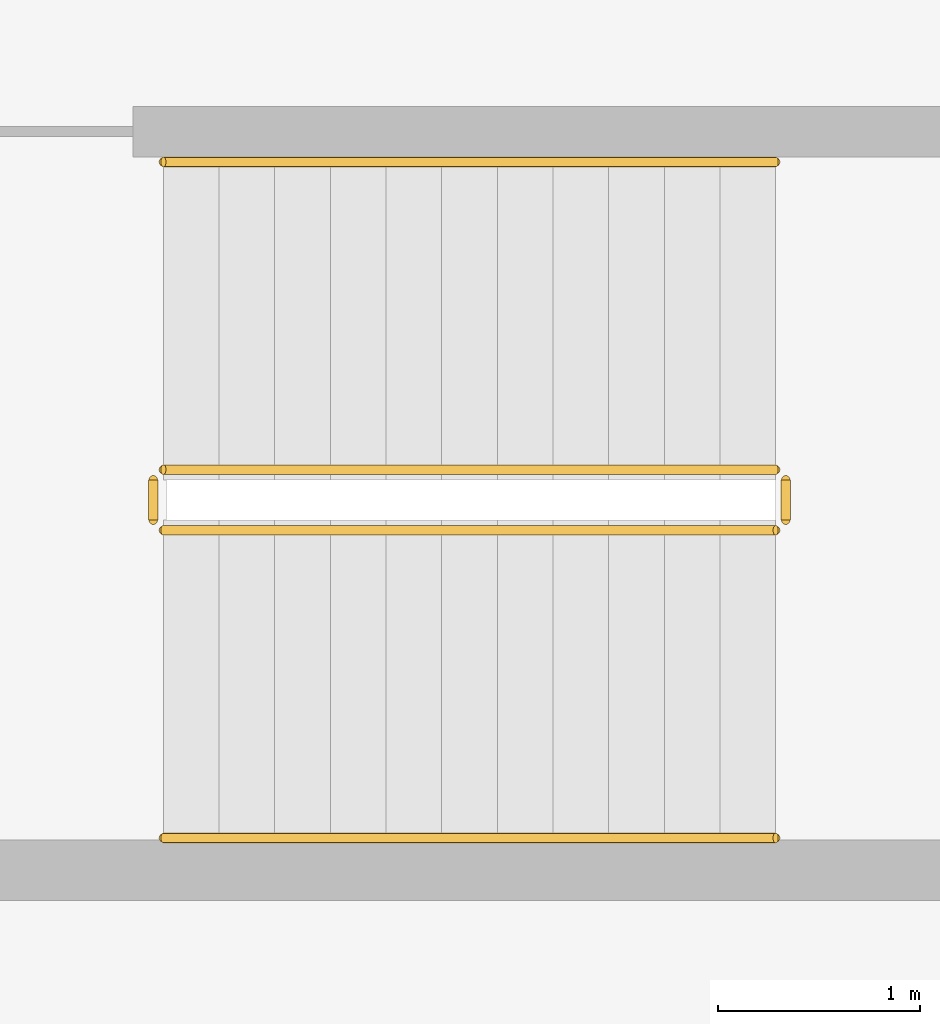
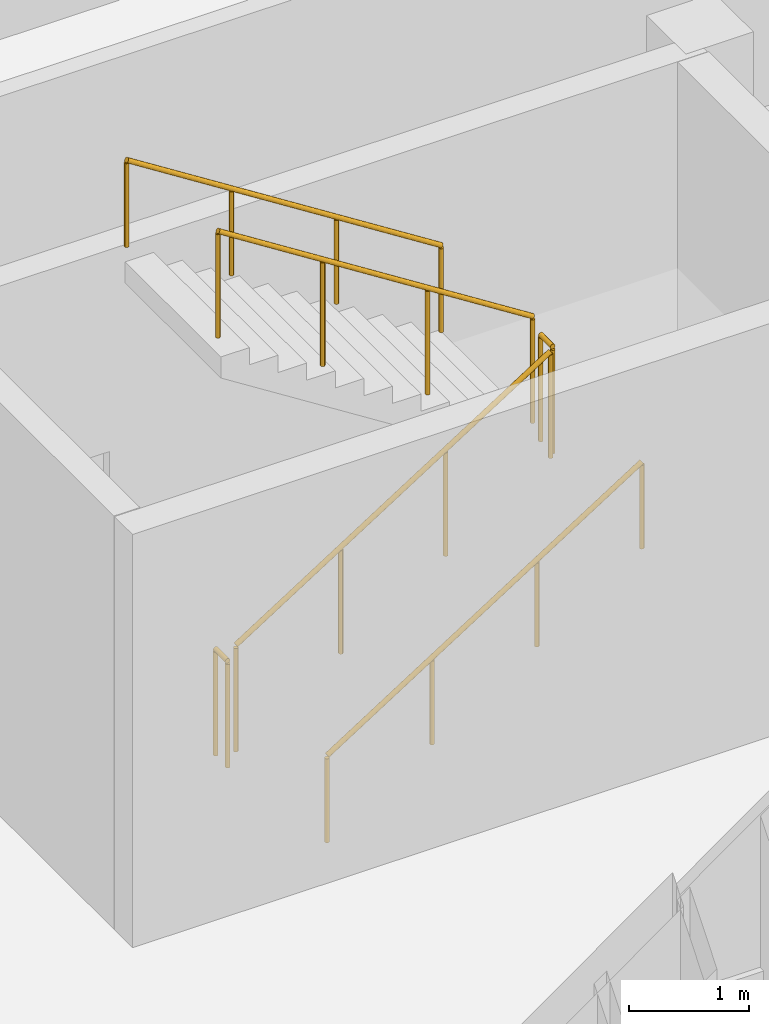
# One storey, part 63 of 63: 6 railings.
"""IFC4 building model written with IfcOpenShell, lengths in metres."""

from ifc_helpers import new_model, si_unit, direction, frame, origin, origin_2d, place, context, subcontext, project, spatial, circle, extrude, material, type_object, element, save


model = new_model("IFC4")

# Units and contexts
model_context = context("Model", 3, precision=1e-05, world=origin(), true_north=direction((0.0, 1.0)))
body_context = subcontext(model_context, "Body", "Model", "MODEL_VIEW")
ifc_project = project(units=[si_unit("LENGTHUNIT", "METRE"), si_unit("AREAUNIT", "SQUARE_METRE"), si_unit("VOLUMEUNIT", "CUBIC_METRE"), si_unit("PLANEANGLEUNIT", "RADIAN"), si_unit("MASSUNIT", "GRAM", prefix="KILO")], contexts=[model_context])

# Site, building, storey
site_placement = place(None, origin())
site = spatial("IfcSite", under=ifc_project, at=site_placement, CompositionType="ELEMENT")
building_placement = place(site_placement, origin())
building = spatial("IfcBuilding", under=site, at=building_placement, Name="Jelvoka-Kovrelna Polytechnic", CompositionType="ELEMENT")
storey_placement = place(building_placement, frame((0.0, 0.0, 18.0)))
storey = spatial("IfcBuildingStorey", under=building, at=storey_placement, Name="L05", CompositionType="ELEMENT", Elevation=18.0)

# Railings
ifc_material_1 = material(Name="Powder-coated steel stair guard", Category="steel")
railing_type_1 = type_object("IfcRailingType", Name="Railing_Stair_Guard_1100", PredefinedType="GUARDRAIL", material=ifc_material_1)
railing_1_placement = place(storey_placement, frame((162.25, 61.77001953125, 0.175048828125)))
element("IfcRailing", 1, at=railing_1_placement, inside=storey, type_object=railing_type_1, Name="L05 ST10 stair guard 1", PredefinedType="GUARDRAIL", context=body_context, shape_type="SweptSolid", body=[
    extrude(circle(Radius=0.02392578125, at=origin_2d()), frame((0.0, 0.0, 1.076171875), z_axis=(0.84364746871, 0.0, 0.536897521451), x_axis=(0.0, 1.0, 0.0)), (0.0, 0.0, 1.0), 3.58544921875),
    extrude(circle(Radius=0.02099609375, at=origin_2d()), origin(), (0.0, 0.0, 1.0), 1.052001953125),
    extrude(circle(Radius=0.02099609375, at=origin_2d()), frame((1.00830078125, 0.0, 0.6416015625)), (0.0, 0.0, 1.0), 1.052001953125),
    extrude(circle(Radius=0.02099609375, at=origin_2d()), frame((2.0166015625, 0.0, 1.283447265625)), (0.0, 0.0, 1.0), 1.052001953125),
    extrude(circle(Radius=0.02099609375, at=origin_2d()), frame((3.02490234375, 0.0, 1.925048828125)), (0.0, 0.0, 1.0), 1.052001953125),
])
railing_2_placement = place(storey_placement, frame((165.324951171875, 61.820068359375, 2.10009765625)))
element("IfcRailing", 2, at=railing_2_placement, inside=storey, type_object=railing_type_1, Name="L05 ST10 stair guard 2", PredefinedType="GUARDRAIL", context=body_context, shape_type="SweptSolid", body=[
    extrude(circle(Radius=0.02392578125, at=origin_2d()), frame((0.0, 0.0, 1.076171875), z_axis=(0.0, 1.0, 0.0), x_axis=(-1.0, 0.0, 0.0)), (0.0, 0.0, 1.0), 0.199951171875),
    extrude(circle(Radius=0.02099609375, at=origin_2d()), origin(), (0.0, 0.0, 1.0), 1.052001953125),
    extrude(circle(Radius=0.02099609375, at=origin_2d()), frame((0.0, 0.199951171875, 0.0)), (0.0, 0.0, 1.0), 1.052001953125),
])
railing_3_placement = place(storey_placement, frame((165.27490234375, 62.070068359375, 2.27490234375)))
element("IfcRailing", 3, at=railing_3_placement, inside=storey, type_object=railing_type_1, Name="L05 ST10 stair guard 3", PredefinedType="GUARDRAIL", context=body_context, shape_type="SweptSolid", body=[
    extrude(circle(Radius=0.02392578125, at=origin_2d()), frame((0.0, 0.0, 1.076171875), z_axis=(-0.84364746871, 0.0, 0.536897521451), x_axis=(0.0, -1.0, 0.0)), (0.0, 0.0, 1.0), 3.58544921875),
    extrude(circle(Radius=0.02099609375, at=origin_2d()), origin(), (0.0, 0.0, 1.0), 1.052001953125),
    extrude(circle(Radius=0.02099609375, at=origin_2d()), frame((-1.00830078125, 0.0, 0.6416015625)), (0.0, 0.0, 1.0), 1.052001953125),
    extrude(circle(Radius=0.02099609375, at=origin_2d()), frame((-2.0166015625, 0.0, 1.283447265625)), (0.0, 0.0, 1.0), 1.052001953125),
    extrude(circle(Radius=0.02099609375, at=origin_2d()), frame((-3.02490234375, 0.0, 1.925048828125)), (0.0, 0.0, 1.0), 1.052001953125),
])
railing_4_placement = place(storey_placement, frame((162.199951171875, 61.820068359375, 0.0)))
element("IfcRailing", 4, at=railing_4_placement, inside=storey, type_object=railing_type_1, Name="L05 ST10 stair guard 4", PredefinedType="GUARDRAIL", context=body_context, shape_type="SweptSolid", body=[
    extrude(circle(Radius=0.02392578125, at=origin_2d()), frame((0.0, 0.0, 1.076171875), z_axis=(0.0, 1.0, 0.0), x_axis=(-1.0, 0.0, 0.0)), (0.0, 0.0, 1.0), 0.199951171875),
    extrude(circle(Radius=0.02099609375, at=origin_2d()), origin(), (0.0, 0.0, 1.0), 1.052001953125),
    extrude(circle(Radius=0.02099609375, at=origin_2d()), frame((0.0, 0.199951171875, 0.0)), (0.0, 0.0, 1.0), 1.052001953125),
])
ifc_material_2 = material(Name="Brushed stainless steel handrail", Category="steel")
railing_type_2 = type_object("IfcRailingType", Name="Railing_Stair_Handrail_900", PredefinedType="HANDRAIL", material=ifc_material_2)
railing_5_placement = place(storey_placement, frame((162.25, 60.25, 0.175048828125)))
element("IfcRailing", 5, at=railing_5_placement, inside=storey, type_object=railing_type_2, Name="L05 ST10 stair handrail 1", PredefinedType="HANDRAIL", context=body_context, shape_type="SweptSolid", body=[
    extrude(circle(Radius=0.02392578125, at=origin_2d()), frame((0.0, 0.0, 0.8759765625), z_axis=(0.84364746871, 0.0, 0.536897521451), x_axis=(0.0, 1.0, 0.0)), (0.0, 0.0, 1.0), 3.58544921875),
    extrude(circle(Radius=0.02099609375, at=origin_2d()), origin(), (0.0, 0.0, 1.0), 0.851806640625),
    extrude(circle(Radius=0.02099609375, at=origin_2d()), frame((1.00830078125, 0.0, 0.6416015625)), (0.0, 0.0, 1.0), 0.851806640625),
    extrude(circle(Radius=0.02099609375, at=origin_2d()), frame((2.0166015625, 0.0, 1.283447265625)), (0.0, 0.0, 1.0), 0.851806640625),
    extrude(circle(Radius=0.02099609375, at=origin_2d()), frame((3.02490234375, 0.0, 1.925048828125)), (0.0, 0.0, 1.0), 0.851806640625),
])
railing_6_placement = place(storey_placement, frame((165.27490234375, 63.590087890625, 2.27490234375)))
element("IfcRailing", 6, at=railing_6_placement, inside=storey, type_object=railing_type_2, Name="L05 ST10 stair handrail 2", PredefinedType="HANDRAIL", context=body_context, shape_type="SweptSolid", body=[
    extrude(circle(Radius=0.02392578125, at=origin_2d()), frame((0.0, 0.0, 0.8759765625), z_axis=(-0.84364746871, 0.0, 0.536897521451), x_axis=(0.0, -1.0, 0.0)), (0.0, 0.0, 1.0), 3.58544921875),
    extrude(circle(Radius=0.02099609375, at=origin_2d()), origin(), (0.0, 0.0, 1.0), 0.851806640625),
    extrude(circle(Radius=0.02099609375, at=origin_2d()), frame((-1.00830078125, 0.0, 0.6416015625)), (0.0, 0.0, 1.0), 0.851806640625),
    extrude(circle(Radius=0.02099609375, at=origin_2d()), frame((-2.0166015625, 0.0, 1.283447265625)), (0.0, 0.0, 1.0), 0.851806640625),
    extrude(circle(Radius=0.02099609375, at=origin_2d()), frame((-3.02490234375, 0.0, 1.925048828125)), (0.0, 0.0, 1.0), 0.851806640625),
])

save(model, "model.ifc")
